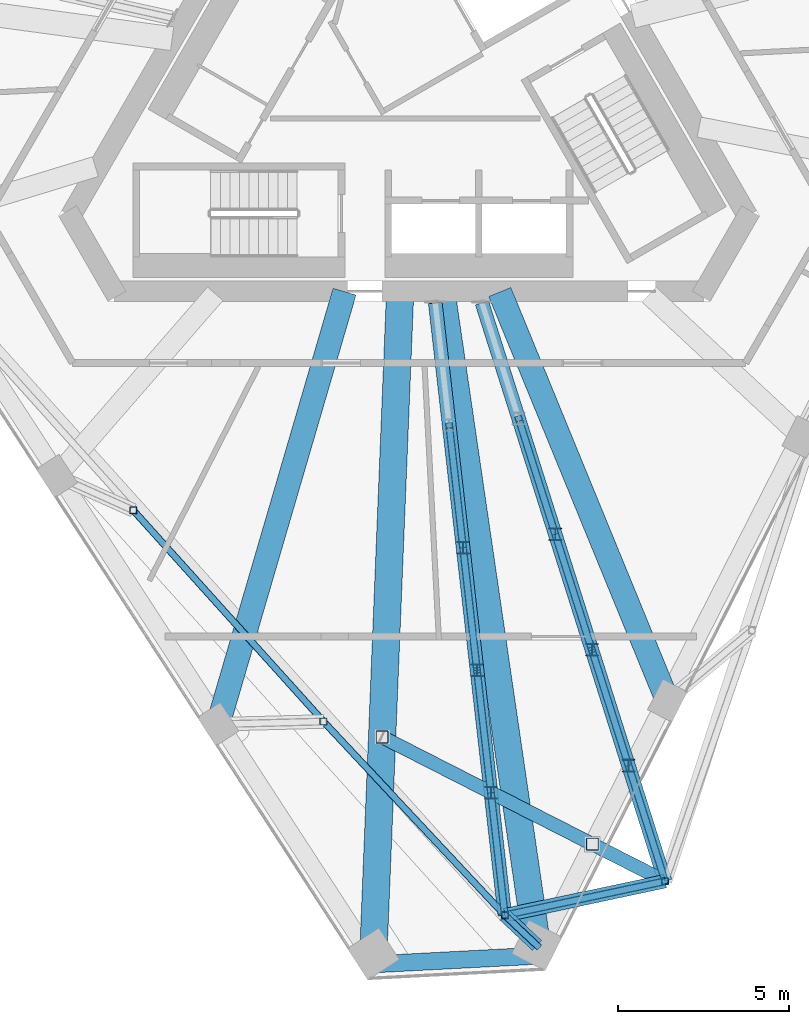
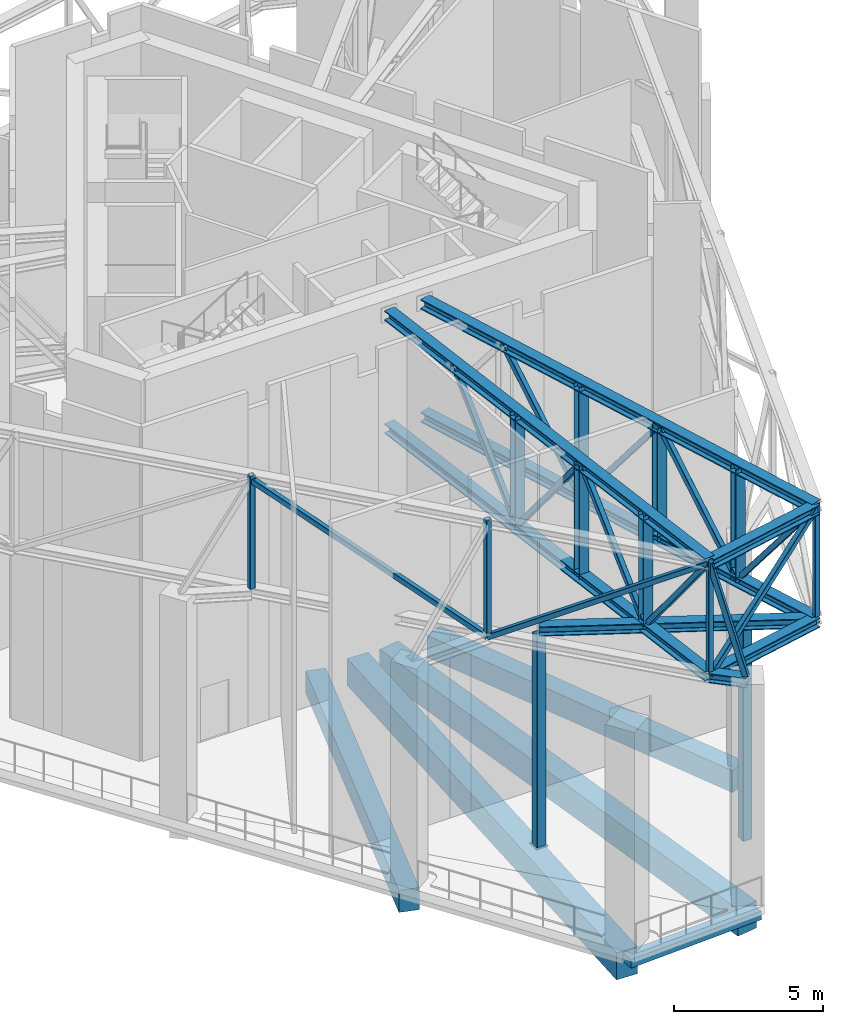
# One storey, part 2 of 23: 32 members, 5 beams.
"""IFC4 building model written with IfcOpenShell, lengths in metres."""

from ifc_helpers import new_model, si_unit, direction, frame, origin, origin_2d, place, context, subcontext, project, spatial, rectangle, hollow_rectangle, i_section, extrude, material, material_profile, profile_set, type_object, element, save


model = new_model("IFC4")

# Units and contexts
model_context = context("Model", 3, precision=1e-05, world=origin(), true_north=direction((0.0, 1.0)))
body_context = subcontext(model_context, "Body", "Model", "MODEL_VIEW")
ifc_project = project(units=[si_unit("LENGTHUNIT", "METRE"), si_unit("AREAUNIT", "SQUARE_METRE"), si_unit("VOLUMEUNIT", "CUBIC_METRE"), si_unit("PLANEANGLEUNIT", "RADIAN"), si_unit("MASSUNIT", "GRAM", prefix="KILO")], contexts=[model_context])

# Site, building, storey
site_placement = place(None, origin())
site = spatial("IfcSite", under=ifc_project, at=site_placement, CompositionType="ELEMENT")
building_placement = place(site_placement, origin())
building = spatial("IfcBuilding", under=site, at=building_placement, Name="Tramontana Tower", CompositionType="ELEMENT")
storey_placement = place(building_placement, frame((0.0, 0.0, 306.39990234375)))
storey = spatial("IfcBuildingStorey", under=building, at=storey_placement, Name="L72", CompositionType="ELEMENT", Elevation=306.39990234375)

# Members
ifc_material_1 = material(Name="Steel ASTM A500 Grade C", Category="steel")
ifc_material_profile_1 = material_profile(ifc_material_1, hollow_rectangle(XDim=0.203125, YDim=0.203125, WallThickness=0.0087890625, InnerFilletRadius=0.0087890625, OuterFilletRadius=0.017822265625, at=origin_2d()), Name="HSS8X8X3/8")
ifc_profile_set_1 = profile_set([ifc_material_profile_1], Name="Steel ASTM A500 Grade C")
member_type_1 = type_object("IfcMemberType", Name="Belt truss HSS8X8X3/8 brace", PredefinedType="BRACE", material=ifc_profile_set_1)
member_1_placement = place(storey_placement, frame((-8.068359375, -12.8583984375, 13.456298828125), z_axis=(0.585104967308, -0.649839875698, -0.485139478072), x_axis=(0.743152493819, 0.669122089705, 0.0)))
element("IfcMember", 1, at=member_1_placement, inside=storey, type_object=member_type_1, Name="Belt truss diagonal S0.4", PredefinedType="BRACE", context=body_context, shape_type="SweptSolid", body=[
    extrude(hollow_rectangle(XDim=0.203125, YDim=0.203125, WallThickness=0.0087890625, InnerFilletRadius=0.0087890625, OuterFilletRadius=0.017822265625, at=origin_2d()), origin(), (0.0, 0.0, 1.0), 9.507568359375),
])
member_2_placement = place(storey_placement, frame((-2.50537109375, -19.036865234375, 8.84375), z_axis=(0.587532330648, -0.627699474711, 0.510684961489), x_axis=(0.73008013293, 0.683361543768, 0.0)))
element("IfcMember", 2, at=member_2_placement, inside=storey, type_object=member_type_1, Name="Belt truss diagonal S0.5", PredefinedType="BRACE", context=body_context, shape_type="SweptSolid", body=[
    extrude(hollow_rectangle(XDim=0.203125, YDim=0.203125, WallThickness=0.0087890625, InnerFilletRadius=0.0087890625, OuterFilletRadius=0.017822265625, at=origin_2d()), origin(), (0.0, 0.0, 1.0), 9.031982421875),
])
member_3_placement = place(storey_placement, frame((2.80126953125, -24.706298828125, 8.84375), z_axis=(0.704828688163, 0.149810502738, 0.693378203877), x_axis=(-0.20790444135, 0.978149141628, 0.0)))
element("IfcMember", 3, at=member_3_placement, inside=storey, type_object=member_type_1, Name="Belt truss diagonal K1.1", PredefinedType="BRACE", context=body_context, shape_type="SweptSolid", body=[
    extrude(hollow_rectangle(XDim=0.203125, YDim=0.203125, WallThickness=0.0087890625, InnerFilletRadius=0.0087890625, OuterFilletRadius=0.017822265625, at=origin_2d()), origin(), (0.0, 0.0, 1.0), 6.65234375),
])
ifc_material_2 = material(Name="Steel ASTM A500 Grade C", Category="steel")
ifc_material_profile_2 = material_profile(ifc_material_2, hollow_rectangle(XDim=0.203125, YDim=0.203125, WallThickness=0.0087890625, InnerFilletRadius=0.0087890625, OuterFilletRadius=0.017822265625, at=origin_2d()), Name="HSS8X8X3/8")
ifc_profile_set_2 = profile_set([ifc_material_profile_2], Name="Steel ASTM A500 Grade C")
member_type_2 = type_object("IfcMemberType", Name="Belt truss HSS8X8X3/8 post", PredefinedType="POST", material=ifc_profile_set_2)
for number, where, z_axis, x_axis, name in (
    (4, (-8.068359375, -12.8583984375, 9.037353515625), (0.0, 0.0, 1.0), (1.0, 0.0, 0.0), "Belt truss post C8F03"),
    (5, (-2.50537109375, -19.036865234375, 9.037353515625), (0.0, 0.0, 1.0), (1.0, 0.0, 0.0), "Belt truss post C8F04"),
    (6, (2.80126953125, -24.706298828125, 9.037353515625), (0.0, 0.0, 1.0), (1.0, 0.0, 0.0), "Belt truss post C8K2"),
    (7, (7.489990234375, -23.709716796875, 9.037353515625), (0.0, 0.0, 1.0), (1.0, 0.0, 0.0), "Belt truss post C8K3"),
):
    element("IfcMember", number, at=place(storey_placement, frame(where, z_axis=z_axis, x_axis=x_axis)), inside=storey, type_object=member_type_2, Name=name, PredefinedType="POST", context=body_context, shape_type="SweptSolid", body=[
        extrude(hollow_rectangle(XDim=0.203125, YDim=0.203125, WallThickness=0.0087890625, InnerFilletRadius=0.0087890625, OuterFilletRadius=0.017822265625, at=origin_2d()), origin(), (0.0, 0.0, 1.0), 4.61279296875),
    ])
ifc_material_3 = material(Name="Steel ASTM A992 Grade 50", Category="steel")
ifc_material_profile_3 = material_profile(ifc_material_3, i_section(OverallWidth=0.39697265625, OverallDepth=0.387451171875, WebThickness=0.020751953125, FlangeThickness=0.033447265625, FilletRadius=0.01513671875, at=origin_2d()), Name="W14X176")
ifc_profile_set_3 = profile_set([ifc_material_profile_3], Name="Steel ASTM A992 Grade 50")
member_type_3 = type_object("IfcMemberType", Name="Belt truss W14X176 chord", PredefinedType="CHORD", material=ifc_profile_set_3)
for number, where, z_axis, x_axis, name in (
    (8, (2.80126953125, -24.706298828125, 8.84375), (0.978149141628, 0.20790444135, 0.0), (-0.20790444135, 0.978149141628, 0.0), "Belt truss bottom chord K1"),
    (9, (2.80126953125, -24.706298828125, 13.456298828125), (0.978149141628, 0.20790444135, 0.0), (-0.20790444135, 0.978149141628, 0.0), "Belt truss top chord K1"),
):
    element("IfcMember", number, at=place(storey_placement, frame(where, z_axis=z_axis, x_axis=x_axis)), inside=storey, type_object=member_type_3, Name=name, PredefinedType="CHORD", context=body_context, shape_type="SweptSolid", body=[
        extrude(i_section(OverallWidth=0.39697265625, OverallDepth=0.387451171875, WebThickness=0.020751953125, FlangeThickness=0.033447265625, FilletRadius=0.01513671875, at=origin_2d()), origin(), (0.0, 0.0, 1.0), 4.79345703125),
    ])
ifc_material_4 = material(Name="Steel ASTM A500 Grade C", Category="steel")
ifc_material_profile_4 = material_profile(ifc_material_4, hollow_rectangle(XDim=0.203125, YDim=0.203125, WallThickness=0.0087890625, InnerFilletRadius=0.0087890625, OuterFilletRadius=0.017822265625, at=origin_2d()), Name="HSS8X8X3/8")
ifc_profile_set_4 = profile_set([ifc_material_profile_4], Name="Steel ASTM A500 Grade C")
member_type_4 = type_object("IfcMemberType", Name="Outrigger truss HSS8X8X3/8 brace", PredefinedType="BRACE", material=ifc_profile_set_4)
for number, where, z_axis, x_axis, name in (
    (10, (1.172607421875, -10.373291015625, 13.456298828125), (0.069510324597, -0.611999420582, -0.787797578051), (0.993611639856, 0.112853485293, 0.0), "Outrigger truss diagonal 1.2"),
    (11, (1.57958984375, -13.95654296875, 8.84375), (0.069551820801, -0.611997646219, 0.787795293998), (0.993604046456, 0.112920320875, 0.0), "Outrigger truss diagonal 1.3"),
    (12, (1.98681640625, -17.539794921875, 13.456298828125), (0.069553595695, -0.611971565002, -0.787815397764), (0.993603183151, 0.112927916973, 0.0), "Outrigger truss diagonal 1.4"),
):
    element("IfcMember", number, at=place(storey_placement, frame(where, z_axis=z_axis, x_axis=x_axis)), inside=storey, type_object=member_type_4, Name=name, PredefinedType="BRACE", context=body_context, shape_type="SweptSolid", body=[
        extrude(hollow_rectangle(XDim=0.203125, YDim=0.203125, WallThickness=0.0087890625, InnerFilletRadius=0.0087890625, OuterFilletRadius=0.017822265625, at=origin_2d()), origin(), (0.0, 0.0, 1.0), 5.85498046875),
    ])
member_4_placement = place(storey_placement, frame((2.39404296875, -21.122802734375, 8.84375), z_axis=(0.069550045921, -0.612023725439, 0.787775190402), x_axis=(0.993604909586, 0.112912725793, 0.0)))
element("IfcMember", 13, at=member_4_placement, inside=storey, type_object=member_type_4, Name="Outrigger truss diagonal 1.5", PredefinedType="BRACE", context=body_context, shape_type="SweptSolid", body=[
    extrude(hollow_rectangle(XDim=0.203125, YDim=0.203125, WallThickness=0.0087890625, InnerFilletRadius=0.0087890625, OuterFilletRadius=0.017822265625, at=origin_2d()), origin(), (0.0, 0.0, 1.0), 5.855224609375),
])
member_5_placement = place(storey_placement, frame((3.203857421875, -10.173828125, 13.456298828125), z_axis=(0.184103889122, -0.581422649151, -0.792498240417), x_axis=(0.953348493585, 0.301871909555, 0.0)))
element("IfcMember", 14, at=member_5_placement, inside=storey, type_object=member_type_4, Name="Outrigger truss diagonal 2.2", PredefinedType="BRACE", context=body_context, shape_type="SweptSolid", body=[
    extrude(hollow_rectangle(XDim=0.203125, YDim=0.203125, WallThickness=0.0087890625, InnerFilletRadius=0.0087890625, OuterFilletRadius=0.017822265625, at=origin_2d()), origin(), (0.0, 0.0, 1.0), 5.8203125),
])
member_6_placement = place(storey_placement, frame((4.275390625, -13.557861328125, 8.84375), z_axis=(0.184108379186, -0.581394881641, 0.792517568459), x_axis=(0.953342225351, 0.301891704694, 0.0)))
element("IfcMember", 15, at=member_6_placement, inside=storey, type_object=member_type_4, Name="Outrigger truss diagonal 2.3", PredefinedType="BRACE", context=body_context, shape_type="SweptSolid", body=[
    extrude(hollow_rectangle(XDim=0.203125, YDim=0.203125, WallThickness=0.0087890625, InnerFilletRadius=0.0087890625, OuterFilletRadius=0.017822265625, at=origin_2d()), origin(), (0.0, 0.0, 1.0), 5.820068359375),
])
for number, where, z_axis, x_axis, name in (
    (16, (5.346923828125, -16.941650390625, 13.456298828125), (0.184103889122, -0.581422649151, -0.792498240417), (0.953348493585, 0.301871909555, 0.0), "Outrigger truss diagonal 2.4"),
    (17, (6.41845703125, -20.32568359375, 8.84375), (0.184103889122, -0.581422649151, 0.792498240417), (0.953348493585, 0.301871909555, 0.0), "Outrigger truss diagonal 2.5"),
):
    element("IfcMember", number, at=place(storey_placement, frame(where, z_axis=z_axis, x_axis=x_axis)), inside=storey, type_object=member_type_4, Name=name, PredefinedType="BRACE", context=body_context, shape_type="SweptSolid", body=[
        extrude(hollow_rectangle(XDim=0.203125, YDim=0.203125, WallThickness=0.0087890625, InnerFilletRadius=0.0087890625, OuterFilletRadius=0.017822265625, at=origin_2d()), origin(), (0.0, 0.0, 1.0), 5.8203125),
    ])
ifc_material_5 = material(Name="Steel ASTM A992 Grade 50", Category="steel")
ifc_material_profile_5 = material_profile(ifc_material_5, i_section(OverallWidth=0.4033203125, OverallDepth=0.406494140625, WebThickness=0.027099609375, FlangeThickness=0.04443359375, FilletRadius=0.01513671875, at=origin_2d()), Name="W14X233")
ifc_profile_set_5 = profile_set([ifc_material_profile_5], Name="Steel ASTM A992 Grade 50")
member_type_5 = type_object("IfcMemberType", Name="Outrigger truss W14X233 chord", PredefinedType="CHORD", material=ifc_profile_set_5)
for number, where, z_axis, x_axis, name in (
    (18, (0.765380859375, -6.7900390625, 8.84375), (0.112906953881, -0.993605565486, 0.0), (0.993605565486, 0.112906953881, 0.0), "Outrigger truss bottom chord 1"),
    (19, (0.765380859375, -6.7900390625, 13.456298828125), (0.112906953881, -0.993605565486, 0.0), (0.993605565486, 0.112906953881, 0.0), "Outrigger truss top chord 1"),
):
    element("IfcMember", number, at=place(storey_placement, frame(where, z_axis=z_axis, x_axis=x_axis)), inside=storey, type_object=member_type_5, Name=name, PredefinedType="CHORD", context=body_context, shape_type="SweptSolid", body=[
        extrude(i_section(OverallWidth=0.4033203125, OverallDepth=0.406494140625, WebThickness=0.027099609375, FlangeThickness=0.04443359375, FilletRadius=0.01513671875, at=origin_2d()), origin(), (0.0, 0.0, 1.0), 18.031494140625),
    ])
for number, where, z_axis, x_axis, name in (
    (20, (2.13232421875, -6.7900390625, 8.84375), (0.301879827315, -0.953345986439, 0.0), (0.953345986439, 0.301879827315, 0.0), "Outrigger truss bottom chord 2"),
    (21, (2.13232421875, -6.7900390625, 13.456298828125), (0.301879827315, -0.953345986439, 0.0), (0.953345986439, 0.301879827315, 0.0), "Outrigger truss top chord 2"),
):
    element("IfcMember", number, at=place(storey_placement, frame(where, z_axis=z_axis, x_axis=x_axis)), inside=storey, type_object=member_type_5, Name=name, PredefinedType="CHORD", context=body_context, shape_type="SweptSolid", body=[
        extrude(i_section(OverallWidth=0.4033203125, OverallDepth=0.406494140625, WebThickness=0.027099609375, FlangeThickness=0.04443359375, FilletRadius=0.01513671875, at=origin_2d()), origin(), (0.0, 0.0, 1.0), 17.74755859375),
    ])
ifc_material_6 = material(Name="Steel ASTM A992 Grade 50", Category="steel")
ifc_material_profile_6 = material_profile(ifc_material_6, i_section(OverallWidth=0.368408203125, OverallDepth=0.355712890625, WebThickness=0.01123046875, FlangeThickness=0.017578125, FilletRadius=0.01513671875, at=origin_2d()), Name="W14X90")
ifc_profile_set_6 = profile_set([ifc_material_profile_6], Name="Steel ASTM A992 Grade 50")
member_type_6 = type_object("IfcMemberType", Name="Outrigger truss W14X90 post", PredefinedType="POST", material=ifc_profile_set_6)
for number, where, z_axis, x_axis, name in (
    (22, (1.57958984375, -13.95654296875, 8.84375), (0.0, 0.0, 1.0), (1.0, 0.0, 0.0), "Outrigger truss post 1.2"),
    (23, (1.98681640625, -17.539794921875, 8.84375), (0.0, 0.0, 1.0), (1.0, 0.0, 0.0), "Outrigger truss post 1.3"),
    (24, (2.39404296875, -21.122802734375, 8.84375), (0.0, 0.0, 1.0), (1.0, 0.0, 0.0), "Outrigger truss post 1.4"),
    (25, (4.275390625, -13.557861328125, 8.84375), (0.0, 0.0, 1.0), (1.0, 0.0, 0.0), "Outrigger truss post 2.2"),
    (26, (5.346923828125, -16.941650390625, 8.84375), (0.0, 0.0, 1.0), (1.0, 0.0, 0.0), "Outrigger truss post 2.3"),
    (27, (6.41845703125, -20.32568359375, 8.84375), (0.0, 0.0, 1.0), (1.0, 0.0, 0.0), "Outrigger truss post 2.4"),
):
    element("IfcMember", number, at=place(storey_placement, frame(where, z_axis=z_axis, x_axis=x_axis)), inside=storey, type_object=member_type_6, Name=name, PredefinedType="POST", context=body_context, shape_type="SweptSolid", body=[
        extrude(i_section(OverallWidth=0.368408203125, OverallDepth=0.355712890625, WebThickness=0.01123046875, FlangeThickness=0.017578125, FilletRadius=0.01513671875, at=origin_2d()), origin(), (0.0, 0.0, 1.0), 4.612548828125),
    ])

# Beams
ifc_material_7 = material(Name="Concrete 40 MPa", Category="concrete")
ifc_material_profile_7 = material_profile(ifc_material_7, rectangle(XDim=0.5, YDim=0.35009765625, at=origin_2d()), Name="RC EDGE BEAM 500X350 40 MPa")
ifc_profile_set_7 = profile_set([ifc_material_profile_7], Name="Concrete 40 MPa")
beam_type_1 = type_object("IfcBeamType", Name="RC EDGE BEAM 500X350 40 MPa", PredefinedType="SPANDREL", material=ifc_profile_set_7)
beam_1_placement = place(storey_placement, frame((-1.231201171875, -26.150390625, -0.52490234375), z_axis=(0.99862935635, 0.05233936029, 0.0), x_axis=(-0.05233936029, 0.99862935635, 0.0)))
element("IfcBeam", 28, at=beam_1_placement, inside=storey, type_object=beam_type_1, Name="Spandrel beam K1 L72", PredefinedType="SPANDREL", context=body_context, shape_type="SweptSolid", body=[
    extrude(rectangle(XDim=0.5, YDim=0.35009765625, at=origin_2d()), origin(), (0.0, 0.0, 1.0), 5.1962890625),
])
ifc_material_8 = material(Name="Concrete 40 MPa", Category="concrete")
ifc_material_profile_8 = material_profile(ifc_material_8, rectangle(XDim=0.699951171875, YDim=0.89990234375, at=origin_2d()), Name="RC GIRDER 700X900 40 MPa")
ifc_profile_set_8 = profile_set([ifc_material_profile_8], Name="Concrete 40 MPa")
beam_type_2 = type_object("IfcBeamType", Name="RC GIRDER 700X900 40 MPa", PredefinedType="BEAM", material=ifc_profile_set_8)
beam_2_placement = place(storey_placement, frame((-5.5888671875, -19.11865234375, -0.7998046875), z_axis=(0.280592184152, 0.959827081402, 0.0), x_axis=(-0.959827081402, 0.280592184152, 0.0)))
element("IfcBeam", 29, at=beam_2_placement, inside=storey, type_object=beam_type_2, Name="Radial girder C7F04 L72", PredefinedType="BEAM", context=body_context, shape_type="SweptSolid", body=[
    extrude(rectangle(XDim=0.699951171875, YDim=0.89990234375, at=origin_2d()), origin(), (0.0, 0.0, 1.0), 13.186279296875),
])
beam_3_placement = place(storey_placement, frame((7.556640625, -18.4296875, -0.7998046875), z_axis=(-0.379376408021, 0.925242422848, 0.0), x_axis=(-0.925242422848, -0.379376408021, 0.0)))
element("IfcBeam", 30, at=beam_3_placement, inside=storey, type_object=beam_type_2, Name="Radial girder C7F05 L72", PredefinedType="BEAM", context=body_context, shape_type="SweptSolid", body=[
    extrude(rectangle(XDim=0.699951171875, YDim=0.89990234375, at=origin_2d()), origin(), (0.0, 0.0, 1.0), 12.92333984375),
])
ifc_material_9 = material(Name="Concrete 40 MPa", Category="concrete")
ifc_material_profile_9 = material_profile(ifc_material_9, rectangle(XDim=0.800048828125, YDim=1.10009765625, at=origin_2d()), Name="RC GIRDER 800X1100 40 MPa")
ifc_profile_set_9 = profile_set([ifc_material_profile_9], Name="Concrete 40 MPa")
beam_type_3 = type_object("IfcBeamType", Name="RC GIRDER 800X1100 40 MPa", PredefinedType="BEAM", material=ifc_profile_set_9)
beam_4_placement = place(storey_placement, frame((-1.0458984375, -25.8388671875, -0.89990234375), z_axis=(0.040449893492, 0.999181568143, 0.0), x_axis=(-0.999181568143, 0.040449893492, 0.0)))
element("IfcBeam", 31, at=beam_4_placement, inside=storey, type_object=beam_type_3, Name="Radial girder C7K2 L72", PredefinedType="BEAM", context=body_context, shape_type="SweptSolid", body=[
    extrude(rectangle(XDim=0.800048828125, YDim=1.10009765625, at=origin_2d()), origin(), (0.0, 0.0, 1.0), 19.404541015625),
])
beam_5_placement = place(storey_placement, frame((3.7412109375, -25.587890625, -0.89990234375), z_axis=(-0.144667438406, 0.989480334451, 0.0), x_axis=(-0.989480334451, -0.144667438406, 0.0)))
element("IfcBeam", 32, at=beam_5_placement, inside=storey, type_object=beam_type_3, Name="Radial girder C7K3 L72", PredefinedType="BEAM", context=body_context, shape_type="SweptSolid", body=[
    extrude(rectangle(XDim=0.800048828125, YDim=1.10009765625, at=origin_2d()), origin(), (0.0, 0.0, 1.0), 19.338134765625),
])

# Members
ifc_material_10 = material(Name="Steel ASTM A500 Grade C", Category="steel")
ifc_material_profile_10 = material_profile(ifc_material_10, hollow_rectangle(XDim=0.355712890625, YDim=0.355712890625, WallThickness=0.01171875, InnerFilletRadius=0.01171875, OuterFilletRadius=0.023681640625, at=origin_2d()), Name="HSS14X14X1/2")
ifc_profile_set_10 = profile_set([ifc_material_profile_10], Name="Steel ASTM A500 Grade C")
member_type_7 = type_object("IfcMemberType", Name="Transfer truss HSS14X14X1/2 post", PredefinedType="POST", material=ifc_profile_set_10)
for number, where, z_axis, x_axis, name in (
    (33, (5.36279296875, -22.625732421875, 0.0400390625), (0.0, 0.0, 1.0), (1.0, 0.0, 0.0), "Transfer truss post C8K3.1"),
    (34, (-0.7890625, -19.4912109375, 0.0400390625), (0.0, 0.0, 1.0), (1.0, 0.0, 0.0), "Transfer truss post C8K3.2"),
):
    element("IfcMember", number, at=place(storey_placement, frame(where, z_axis=z_axis, x_axis=x_axis)), inside=storey, type_object=member_type_7, Name=name, PredefinedType="POST", context=body_context, shape_type="SweptSolid", body=[
        extrude(hollow_rectangle(XDim=0.355712890625, YDim=0.355712890625, WallThickness=0.01171875, InnerFilletRadius=0.01171875, OuterFilletRadius=0.023681640625, at=origin_2d()), origin(), (0.0, 0.0, 1.0), 8.610107421875),
    ])
ifc_material_11 = material(Name="Steel ASTM A500 Grade C", Category="steel")
ifc_material_profile_11 = material_profile(ifc_material_11, hollow_rectangle(XDim=0.203125, YDim=0.203125, WallThickness=0.0087890625, InnerFilletRadius=0.0087890625, OuterFilletRadius=0.017822265625, at=origin_2d()), Name="HSS8X8X3/8")
ifc_profile_set_11 = profile_set([ifc_material_profile_11], Name="Steel ASTM A500 Grade C")
member_type_8 = type_object("IfcMemberType", Name="Transfer truss HSS8X8X3/8 brace", PredefinedType="BRACE", material=ifc_profile_set_11)
member_7_placement = place(storey_placement, frame((3.7412109375, -25.587890625, 8.84375), z_axis=(-0.196263299302, 0.184079681501, 0.963117536029), x_axis=(-0.684104960522, -0.729383577405, 0.0)))
element("IfcMember", 35, at=member_7_placement, inside=storey, type_object=member_type_8, Name="Transfer truss strut C8K2 diagonal", PredefinedType="BRACE", context=body_context, shape_type="SweptSolid", body=[
    extrude(hollow_rectangle(XDim=0.203125, YDim=0.203125, WallThickness=0.0087890625, InnerFilletRadius=0.0087890625, OuterFilletRadius=0.017822265625, at=origin_2d()), origin(), (0.0, 0.0, 1.0), 4.789306640625),
])
ifc_material_12 = material(Name="Steel ASTM A992 Grade 50", Category="steel")
ifc_material_profile_12 = material_profile(ifc_material_12, i_section(OverallWidth=0.39697265625, OverallDepth=0.387451171875, WebThickness=0.020751953125, FlangeThickness=0.033447265625, FilletRadius=0.01513671875, at=origin_2d()), Name="W14X176")
ifc_profile_set_12 = profile_set([ifc_material_profile_12], Name="Steel ASTM A992 Grade 50")
member_type_9 = type_object("IfcMemberType", Name="Transfer truss W14X176 chord", PredefinedType="CHORD", material=ifc_profile_set_12)
member_8_placement = place(storey_placement, frame((7.489990234375, -23.709716796875, 8.84375), z_axis=(-0.891001396147, 0.454000563947, 0.0), x_axis=(-0.454000563947, -0.891001396147, 0.0)))
element("IfcMember", 36, at=member_8_placement, inside=storey, type_object=member_type_9, Name="Transfer truss girder C8K3", PredefinedType="CHORD", context=body_context, shape_type="SweptSolid", body=[
    extrude(i_section(OverallWidth=0.39697265625, OverallDepth=0.387451171875, WebThickness=0.020751953125, FlangeThickness=0.033447265625, FilletRadius=0.01513671875, at=origin_2d()), origin(), (0.0, 0.0, 1.0), 9.291748046875),
])
ifc_material_13 = material(Name="Steel ASTM A992 Grade 50", Category="steel")
ifc_material_profile_13 = material_profile(ifc_material_13, i_section(OverallWidth=0.39697265625, OverallDepth=0.387451171875, WebThickness=0.020751953125, FlangeThickness=0.033447265625, FilletRadius=0.01513671875, at=origin_2d()), Name="W14X176")
ifc_profile_set_13 = profile_set([ifc_material_profile_13], Name="Steel ASTM A992 Grade 50")
member_type_10 = type_object("IfcMemberType", Name="Transfer truss W14X176 strut", PredefinedType="STRUT", material=ifc_profile_set_13)
member_9_placement = place(storey_placement, frame((3.7412109375, -25.587890625, 8.84375), z_axis=(-0.729383577405, 0.684104960522, 0.0), x_axis=(-0.684104960522, -0.729383577405, 0.0)))
element("IfcMember", 37, at=member_9_placement, inside=storey, type_object=member_type_10, Name="Transfer truss strut C8K2 bottom", PredefinedType="STRUT", context=body_context, shape_type="SweptSolid", body=[
    extrude(i_section(OverallWidth=0.39697265625, OverallDepth=0.387451171875, WebThickness=0.020751953125, FlangeThickness=0.033447265625, FilletRadius=0.01513671875, at=origin_2d()), origin(), (0.0, 0.0, 1.0), 1.28857421875),
])

save(model, "model.ifc")
